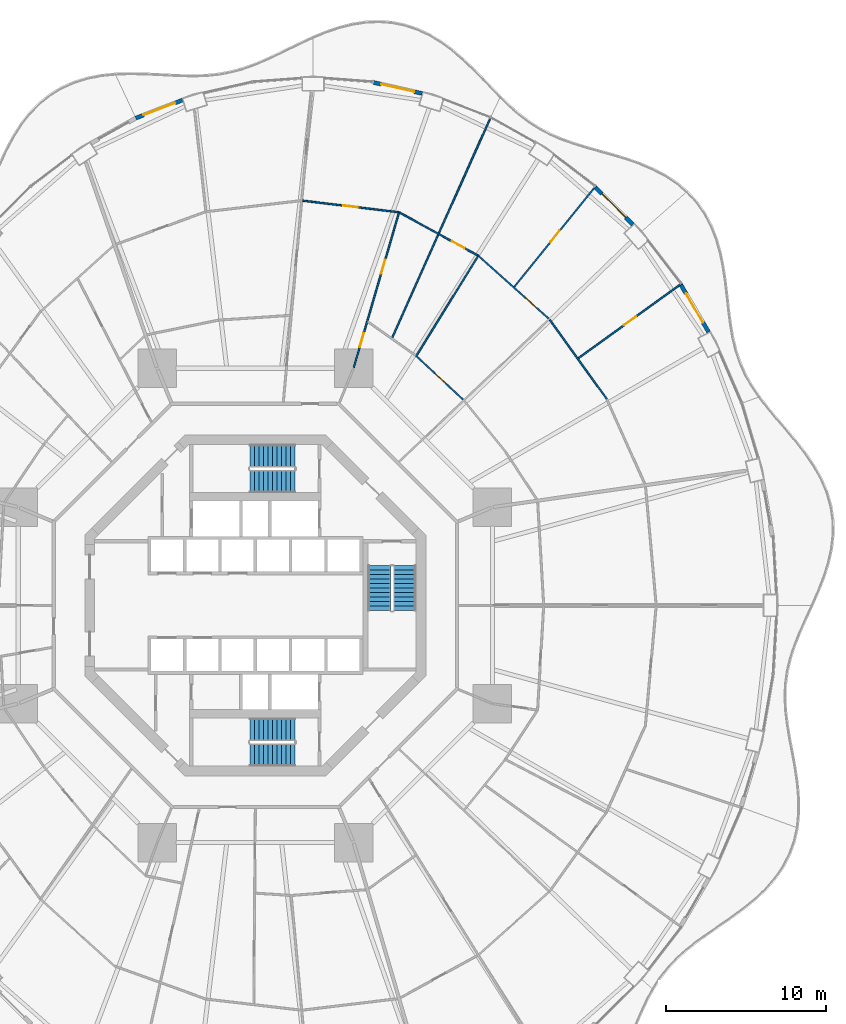
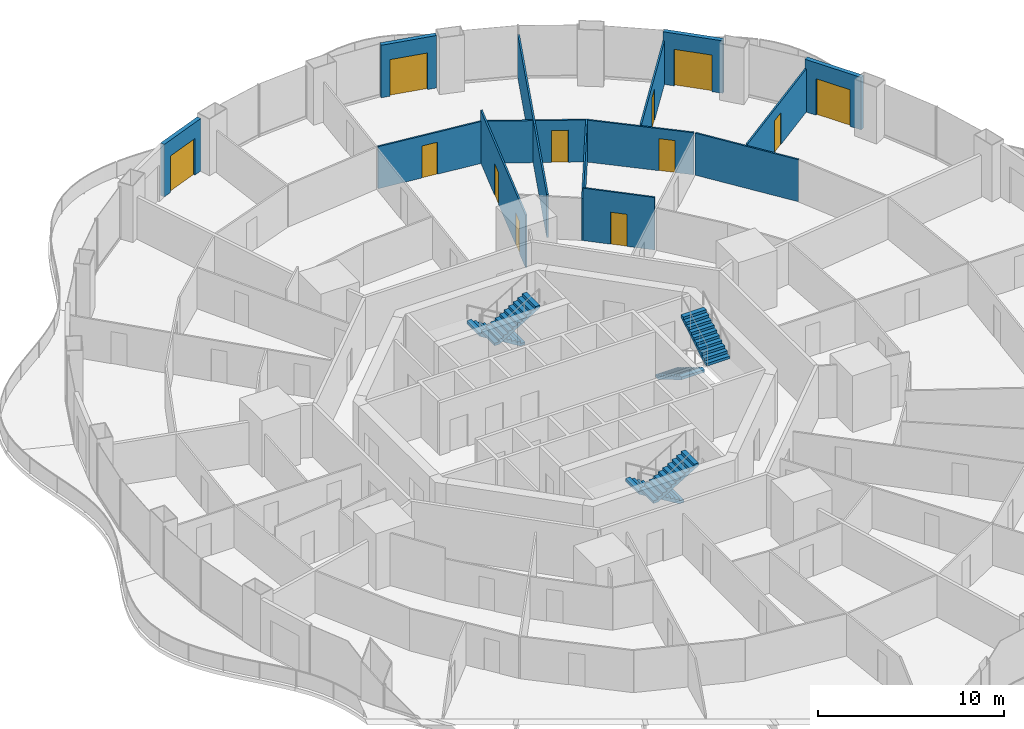
# One storey, part 19 of 22: 14 walls, 12 doors, 6 stair flights, 12 openings, 3 elements without a shape of their own.
"""IFC4 building model written with IfcOpenShell, lengths in metres."""

from ifc_helpers import new_model, si_unit, direction, frame, frame_2d, origin, place, context, subcontext, project, spatial, polyline, rectangle, outline, extrude, material, layer, layer_set, type_object, element, fill, aggregate, save


model = new_model("IFC4")

# Units and contexts
model_context = context("Model", 3, precision=1e-05, world=origin(), true_north=direction((0.0, 1.0)))
body_context = subcontext(model_context, "Body", "Model", "MODEL_VIEW")
ifc_project = project(units=[si_unit("LENGTHUNIT", "METRE"), si_unit("AREAUNIT", "SQUARE_METRE"), si_unit("VOLUMEUNIT", "CUBIC_METRE"), si_unit("PLANEANGLEUNIT", "RADIAN"), si_unit("MASSUNIT", "GRAM", prefix="KILO")], contexts=[model_context])

# Site, building, storey
site_placement = place(None, origin())
site = spatial("IfcSite", under=ifc_project, at=site_placement, CompositionType="ELEMENT")
building_placement = place(site_placement, origin())
building = spatial("IfcBuilding", under=site, at=building_placement, Name="Nagisa Residences", CompositionType="ELEMENT")
storey_placement = place(building_placement, frame((0.0, 0.0, 49.199951171875)))
storey = spatial("IfcBuildingStorey", under=building, at=storey_placement, Name="L11", CompositionType="ELEMENT", Elevation=49.199951171875)

# Wall
ifc_material_1 = material(Name="Gypsum board on steel studs", Category="steel")
ifc_layer_1 = layer(ifc_material_1, 0.10009765625)
ifc_layer_set_1 = layer_set([ifc_layer_1], Name="Apartment partition 100")
wall_type_1 = type_object("IfcWallType", Name="Apartment partition 100", PredefinedType="PARTITIONING", material=ifc_layer_set_1)
wall_1_placement = place(storey_placement, frame((21.90771484375, 12.866455078125, 0.0), z_axis=(0.0, 0.0, 1.0), x_axis=(-0.584558392935, 0.811351640936, 0.0)))
element("IfcWall", 1, at=wall_1_placement, inside=storey, type_object=wall_type_1, Name="wall:L11:u26", PredefinedType="PARTITIONING", context=body_context, shape_type="SweptSolid", body=[
    extrude(rectangle(XDim=6.084228515625, YDim=0.10009765625, at=frame_2d((3.0419921875, 0.0))), origin(), (0.0, 0.0, 1.0), 2.756103515625),
])

# Wall, opening, door
wall_2_placement = place(storey_placement, frame((20.140625, 15.404541015625, 0.0), z_axis=(0.0, 0.0, 1.0), x_axis=(0.809834895779, 0.58665785734, 0.0)))
wall_2 = element("IfcWall", 2, at=wall_2_placement, inside=storey, type_object=wall_type_1, Name="wall:L11:u27", PredefinedType="PARTITIONING", context=body_context, shape_type="SweptSolid", body=[
    extrude(rectangle(XDim=7.9453125, YDim=0.10009765625, at=frame_2d((3.97265625, 0.0))), origin(), (0.0, 0.0, 1.0), 2.837158203125),
])
opening_1_placement = place(wall_2_placement, frame((3.5224609375, 0.0, 0.0)))
opening_1 = element("IfcOpeningElement", 3, at=opening_1_placement, cuts=wall_2, Name="Opening L11-U57", PredefinedType="OPENING", context=body_context, shape_type="SweptSolid", body=[
    extrude(rectangle(XDim=0.89990234375, YDim=2.10009765625, at=frame_2d((0.449951171875, 1.050048828125))), frame((0.0, 0.06005859375, 0.0), z_axis=(0.0, -1.0, 0.0), x_axis=(1.0, 0.0, 0.0)), (0.0, 0.0, 1.0), 0.1201171875),
])
ifc_material_2 = material(Name="Timber door set", Category="wood")
door_type_1 = type_object("IfcDoorType", Name="Apartment door 900x2100", OperationType="NOTDEFINED", PredefinedType="DOOR", material=ifc_material_2)
door_1_placement = place(opening_1_placement, frame((0.89990234375, 0.0, 0.0), x_axis=(-1.0, 0.0, 0.0)))
door_1 = element("IfcDoor", 4, at=door_1_placement, inside=storey, type_object=door_type_1, Name="Door to family room, Apartment 11E", OperationType="SINGLE_SWING_RIGHT", OverallHeight=2.10009765625, OverallWidth=0.89990234375, PredefinedType="DOOR", context=body_context, shape_type="SweptSolid", body=[
    extrude(rectangle(XDim=0.89990234375, YDim=2.10009765625, at=frame_2d((0.449951171875, 1.050048828125))), frame((0.0, 0.02490234375, 0.0), z_axis=(0.0, -1.0, 0.0), x_axis=(1.0, 0.0, 0.0)), (0.0, 0.0, 1.0), 0.050048828125),
])
fill(opening_1, door_1)

wall_3_placement = place(storey_placement, frame((12.957763671875, 12.820068359375, 0.0), z_axis=(0.0, 0.0, 1.0), x_axis=(-0.732022571638, 0.681280378855, 0.0)))
wall_3 = element("IfcWall", 5, at=wall_3_placement, inside=storey, type_object=wall_type_1, Name="wall:L11:u29", PredefinedType="PARTITIONING", context=body_context, shape_type="SweptSolid", body=[
    extrude(rectangle(XDim=3.9501953125, YDim=0.10009765625, at=frame_2d((1.97509765625, 0.0))), origin(), (0.0, 0.0, 1.0), 3.43994140625),
])
opening_2_placement = place(wall_3_placement, frame((1.525146484375, 0.0, 0.0)))
opening_2 = element("IfcOpeningElement", 6, at=opening_2_placement, cuts=wall_3, Name="Opening L11-U46", PredefinedType="OPENING", context=body_context, shape_type="SweptSolid", body=[
    extrude(rectangle(XDim=0.89990234375, YDim=2.10009765625, at=frame_2d((0.449951171875, 1.050048828125))), frame((0.0, 0.06005859375, 0.0), z_axis=(0.0, -1.0, 0.0), x_axis=(1.0, 0.0, 0.0)), (0.0, 0.0, 1.0), 0.1201171875),
])
door_2_placement = place(opening_2_placement, frame((0.89990234375, 0.0, 0.0), x_axis=(-1.0, 0.0, 0.0)))
door_2 = element("IfcDoor", 7, at=door_2_placement, inside=storey, type_object=door_type_1, Name="Door to kitchen, Apartment 11E", OperationType="SINGLE_SWING_LEFT", OverallHeight=2.10009765625, OverallWidth=0.89990234375, PredefinedType="DOOR", context=body_context, shape_type="SweptSolid", body=[
    extrude(rectangle(XDim=0.89990234375, YDim=2.10009765625, at=frame_2d((0.449951171875, 1.050048828125))), frame((0.0, 0.02490234375, 0.0), z_axis=(0.0, -1.0, 0.0), x_axis=(1.0, 0.0, 0.0)), (0.0, 0.0, 1.0), 0.050048828125),
])
fill(opening_2, door_2)

wall_4_placement = place(storey_placement, frame((18.28466796875, 17.876953125, 0.0), z_axis=(0.0, 0.0, 1.0), x_axis=(-0.745806142791, 0.666163041136, 0.0)))
wall_4 = element("IfcWall", 8, at=wall_4_placement, inside=storey, type_object=wall_type_1, Name="wall:L11:u30", PredefinedType="PARTITIONING", context=body_context, shape_type="SweptSolid", body=[
    extrude(rectangle(XDim=5.83056640625, YDim=0.10009765625, at=frame_2d((2.915283203125, 0.0))), origin(), (0.0, 0.0, 1.0), 2.756103515625),
])
opening_3_placement = place(wall_4_placement, frame((1.007568359375, 0.0, 0.0)))
opening_3 = element("IfcOpeningElement", 9, at=opening_3_placement, cuts=wall_4, Name="Opening L11-U49", PredefinedType="OPENING", context=body_context, shape_type="SweptSolid", body=[
    extrude(rectangle(XDim=0.89990234375, YDim=2.10009765625, at=frame_2d((0.449951171875, 1.050048828125))), frame((0.0, 0.06005859375, 0.0), z_axis=(0.0, -1.0, 0.0), x_axis=(1.0, 0.0, 0.0)), (0.0, 0.0, 1.0), 0.1201171875),
])
door_3_placement = place(opening_3_placement, frame((0.89990234375, 0.0, 0.0), x_axis=(-1.0, 0.0, 0.0)))
door_3 = element("IfcDoor", 10, at=door_3_placement, inside=storey, type_object=door_type_1, Name="Door to dining room, Apartment 11E", OperationType="SINGLE_SWING_RIGHT", OverallHeight=2.10009765625, OverallWidth=0.89990234375, PredefinedType="DOOR", context=body_context, shape_type="SweptSolid", body=[
    extrude(rectangle(XDim=0.89990234375, YDim=2.10009765625, at=frame_2d((0.449951171875, 1.050048828125))), frame((0.0, 0.02490234375, 0.0), z_axis=(0.0, -1.0, 0.0), x_axis=(1.0, 0.0, 0.0)), (0.0, 0.0, 1.0), 0.050048828125),
])
fill(opening_3, door_3)

wall_5_placement = place(storey_placement, frame((16.141845703125, 19.85791015625, 0.0), z_axis=(0.0, 0.0, 1.0), x_axis=(0.628738066508, 0.777617157555, 0.0)))
wall_5 = element("IfcWall", 11, at=wall_5_placement, inside=storey, type_object=wall_type_1, Name="wall:L11:u31", PredefinedType="PARTITIONING", context=body_context, shape_type="SweptSolid", body=[
    extrude(rectangle(XDim=8.091064453125, YDim=0.10009765625, at=frame_2d((4.04541015625, 0.0))), origin(), (0.0, 0.0, 1.0), 2.837158203125),
])
opening_4_placement = place(wall_5_placement, frame((3.595458984375, 0.0, 0.0)))
opening_4 = element("IfcOpeningElement", 12, at=opening_4_placement, cuts=wall_5, Name="Opening L11-U50", PredefinedType="OPENING", context=body_context, shape_type="SweptSolid", body=[
    extrude(rectangle(XDim=0.89990234375, YDim=2.10009765625, at=frame_2d((0.449951171875, 1.050048828125))), frame((0.0, 0.06005859375, 0.0), z_axis=(0.0, -1.0, 0.0), x_axis=(1.0, 0.0, 0.0)), (0.0, 0.0, 1.0), 0.1201171875),
])
door_4_placement = place(opening_4_placement, origin())
door_4 = element("IfcDoor", 13, at=door_4_placement, inside=storey, type_object=door_type_1, Name="Door to master bedroom, Apartment 11E", OperationType="SINGLE_SWING_RIGHT", OverallHeight=2.10009765625, OverallWidth=0.89990234375, PredefinedType="DOOR", context=body_context, shape_type="SweptSolid", body=[
    extrude(rectangle(XDim=0.89990234375, YDim=2.10009765625, at=frame_2d((0.449951171875, 1.050048828125))), frame((0.0, 0.02490234375, 0.0), z_axis=(0.0, -1.0, 0.0), x_axis=(1.0, 0.0, 0.0)), (0.0, 0.0, 1.0), 0.050048828125),
])
fill(opening_4, door_4)

# Wall
wall_6_placement = place(storey_placement, frame((10.003173828125, 15.502685546875, 0.0), z_axis=(0.0, 0.0, 1.0), x_axis=(0.52645953022, 0.850200189979, 0.0)))
element("IfcWall", 14, at=wall_6_placement, inside=storey, type_object=wall_type_1, Name="wall:L11:u32", PredefinedType="PARTITIONING", context=body_context, shape_type="SweptSolid", body=[
    extrude(rectangle(XDim=7.449951171875, YDim=0.10009765625, at=frame_2d((3.72509765625, 0.0))), origin(), (0.0, 0.0, 1.0), 2.756103515625),
])

# Wall, opening, door
wall_7_placement = place(storey_placement, frame((13.85498046875, 21.818359375, 0.0), z_axis=(0.0, 0.0, 1.0), x_axis=(-0.876794415294, 0.480865421203, 0.0)))
wall_7 = element("IfcWall", 15, at=wall_7_placement, inside=storey, type_object=wall_type_1, Name="wall:L11:u34", PredefinedType="PARTITIONING", context=body_context, shape_type="SweptSolid", body=[
    extrude(rectangle(XDim=5.5361328125, YDim=0.10009765625, at=frame_2d((2.76806640625, 0.0))), origin(), (0.0, 0.0, 1.0), 2.756103515625),
])
opening_5_placement = place(wall_7_placement, frame((0.93408203125, 0.0, 0.0)))
opening_5 = element("IfcOpeningElement", 16, at=opening_5_placement, cuts=wall_7, Name="Opening L11-U56", PredefinedType="OPENING", context=body_context, shape_type="SweptSolid", body=[
    extrude(rectangle(XDim=0.89990234375, YDim=2.10009765625, at=frame_2d((0.449951171875, 1.050048828125))), frame((0.0, 0.06005859375, 0.0), z_axis=(0.0, -1.0, 0.0), x_axis=(1.0, 0.0, 0.0)), (0.0, 0.0, 1.0), 0.1201171875),
])
door_5_placement = place(opening_5_placement, origin())
door_5 = element("IfcDoor", 17, at=door_5_placement, inside=storey, type_object=door_type_1, Name="Door to en-suite bathroom, Apartment 11E", OperationType="SINGLE_SWING_RIGHT", OverallHeight=2.10009765625, OverallWidth=0.89990234375, PredefinedType="DOOR", context=body_context, shape_type="SweptSolid", body=[
    extrude(rectangle(XDim=0.89990234375, YDim=2.10009765625, at=frame_2d((0.449951171875, 1.050048828125))), frame((0.0, 0.02490234375, 0.0), z_axis=(0.0, -1.0, 0.0), x_axis=(1.0, 0.0, 0.0)), (0.0, 0.0, 1.0), 0.050048828125),
])
fill(opening_5, door_5)

# Wall
wall_8_placement = place(storey_placement, frame((8.524169921875, 16.676025390625, 0.0), z_axis=(0.0, 0.0, 1.0), x_axis=(0.408065177262, 0.912952797852, 0.0)))
element("IfcWall", 18, at=wall_8_placement, inside=storey, type_object=wall_type_1, Name="wall:L11:u35", PredefinedType="PARTITIONING", context=body_context, shape_type="SweptSolid", body=[
    extrude(rectangle(XDim=15.0888671875, YDim=0.10009765625, at=frame_2d((7.54443359375, 0.0))), origin(), (0.0, 0.0, 1.0), 2.837158203125),
])

# Wall, openings, doors
wall_9_placement = place(storey_placement, frame((6.136962890625, 14.830078125, 0.0), z_axis=(0.0, 0.0, 1.0), x_axis=(0.279843546189, 0.960045618529, 0.0)))
wall_9 = element("IfcWall", 19, at=wall_9_placement, inside=storey, type_object=wall_type_1, Name="wall:L11:u37", PredefinedType="PARTITIONING", context=body_context, shape_type="SweptSolid", body=[
    extrude(rectangle(XDim=10.126953125, YDim=0.10009765625, at=frame_2d((5.0634765625, 0.0))), origin(), (0.0, 0.0, 1.0), 3.43994140625),
])
opening_6_placement = place(wall_9_placement, frame((1.333740234375, 0.0, 0.0)))
opening_6 = element("IfcOpeningElement", 20, at=opening_6_placement, cuts=wall_9, Name="Opening L11-U44", PredefinedType="OPENING", context=body_context, shape_type="SweptSolid", body=[
    extrude(rectangle(XDim=0.89990234375, YDim=2.10009765625, at=frame_2d((0.449951171875, 1.050048828125))), frame((0.0, 0.06005859375, 0.0), z_axis=(0.0, -1.0, 0.0), x_axis=(1.0, 0.0, 0.0)), (0.0, 0.0, 1.0), 0.1201171875),
])
opening_7_placement = place(wall_9_placement, frame((6.09130859375, 0.0, 0.0)))
opening_7 = element("IfcOpeningElement", 21, at=opening_7_placement, cuts=wall_9, Name="Opening L11-U47", PredefinedType="OPENING", context=body_context, shape_type="SweptSolid", body=[
    extrude(rectangle(XDim=0.89990234375, YDim=2.10009765625, at=frame_2d((0.449951171875, 1.050048828125))), frame((0.0, 0.06005859375, 0.0), z_axis=(0.0, -1.0, 0.0), x_axis=(1.0, 0.0, 0.0)), (0.0, 0.0, 1.0), 0.1201171875),
])
door_6_placement = place(opening_6_placement, frame((0.89990234375, 0.0, 0.0), x_axis=(-1.0, 0.0, 0.0)))
door_6 = element("IfcDoor", 22, at=door_6_placement, inside=storey, type_object=door_type_1, Name="Door to store, Apartment 11E", OperationType="SINGLE_SWING_LEFT", OverallHeight=2.10009765625, OverallWidth=0.89990234375, PredefinedType="DOOR", context=body_context, shape_type="SweptSolid", body=[
    extrude(rectangle(XDim=0.89990234375, YDim=2.10009765625, at=frame_2d((0.449951171875, 1.050048828125))), frame((0.0, 0.02490234375, 0.0), z_axis=(0.0, -1.0, 0.0), x_axis=(1.0, 0.0, 0.0)), (0.0, 0.0, 1.0), 0.050048828125),
])
fill(opening_6, door_6)
door_7_placement = place(opening_7_placement, frame((0.89990234375, 0.0, 0.0), x_axis=(-1.0, 0.0, 0.0)))
door_7 = element("IfcDoor", 23, at=door_7_placement, inside=storey, type_object=door_type_1, Name="Door to family bathroom, Apartment 11E", OperationType="SINGLE_SWING_RIGHT", OverallHeight=2.10009765625, OverallWidth=0.89990234375, PredefinedType="DOOR", context=body_context, shape_type="SweptSolid", body=[
    extrude(rectangle(XDim=0.89990234375, YDim=2.10009765625, at=frame_2d((0.449951171875, 1.050048828125))), frame((0.0, 0.02490234375, 0.0), z_axis=(0.0, -1.0, 0.0), x_axis=(1.0, 0.0, 0.0)), (0.0, 0.0, 1.0), 0.050048828125),
])
fill(opening_7, door_7)

# Wall, opening, door
wall_10_placement = place(storey_placement, frame((8.907470703125, 24.510498046875, 0.0), z_axis=(0.0, 0.0, 1.0), x_axis=(-0.992836798252, 0.119478416615, 0.0)))
wall_10 = element("IfcWall", 24, at=wall_10_placement, inside=storey, type_object=wall_type_1, Name="wall:L11:u38", PredefinedType="PARTITIONING", context=body_context, shape_type="SweptSolid", body=[
    extrude(rectangle(XDim=6.009521484375, YDim=0.10009765625, at=frame_2d((3.0048828125, 0.0))), origin(), (0.0, 0.0, 1.0), 2.756103515625),
])
opening_8_placement = place(wall_10_placement, frame((2.5546875, 0.0, 0.0)))
opening_8 = element("IfcOpeningElement", 25, at=opening_8_placement, cuts=wall_10, Name="Opening L11-U51", PredefinedType="OPENING", context=body_context, shape_type="SweptSolid", body=[
    extrude(rectangle(XDim=0.89990234375, YDim=2.10009765625, at=frame_2d((0.449951171875, 1.050048828125))), frame((0.0, 0.06005859375, 0.0), z_axis=(0.0, -1.0, 0.0), x_axis=(1.0, 0.0, 0.0)), (0.0, 0.0, 1.0), 0.1201171875),
])
door_8_placement = place(opening_8_placement, frame((0.89990234375, 0.0, 0.0), x_axis=(-1.0, 0.0, 0.0)))
door_8 = element("IfcDoor", 26, at=door_8_placement, inside=storey, type_object=door_type_1, Name="Door to living room, Apartment 11E", OperationType="SINGLE_SWING_RIGHT", OverallHeight=2.10009765625, OverallWidth=0.89990234375, PredefinedType="DOOR", context=body_context, shape_type="SweptSolid", body=[
    extrude(rectangle(XDim=0.89990234375, YDim=2.10009765625, at=frame_2d((0.449951171875, 1.050048828125))), frame((0.0, 0.02490234375, 0.0), z_axis=(0.0, -1.0, 0.0), x_axis=(1.0, 0.0, 0.0)), (0.0, 0.0, 1.0), 0.050048828125),
])
fill(opening_8, door_8)

ifc_material_3 = material(Name="Precast concrete C40/50", Category="concrete")
ifc_layer_2 = layer(ifc_material_3, 0.25)
ifc_layer_set_2 = layer_set([ifc_layer_2], Name="BALCONY DOOR WALL 250")
wall_type_2 = type_object("IfcWallType", Name="BALCONY DOOR WALL 250", PredefinedType="SOLIDWALL", material=ifc_layer_set_2)
wall_11_placement = place(storey_placement, frame((26.49951171875, 20.02587890625, 0.0), z_axis=(0.0, 0.0, 1.0), x_axis=(0.506311160839, -0.862350861546, 0.0)))
wall_11 = element("IfcWall", 27, at=wall_11_placement, inside=storey, type_object=wall_type_2, Name="wall:L11:bay04", PredefinedType="SOLIDWALL", context=body_context, shape_type="SweptSolid", body=[
    extrude(rectangle(XDim=3.462158203125, YDim=0.25, at=frame_2d((1.73095703125, 0.0))), origin(), (0.0, 0.0, 1.0), 3.43994140625),
])
opening_9_placement = place(wall_11_placement, frame((0.68115234375, 0.0, 0.0)))
opening_9 = element("IfcOpeningElement", 28, at=opening_9_placement, cuts=wall_11, Name="Opening BD-L11-02", PredefinedType="OPENING", context=body_context, shape_type="SweptSolid", body=[
    extrude(rectangle(XDim=2.10009765625, YDim=2.39990234375, at=frame_2d((1.050048828125, 1.199951171875))), frame((0.0, 0.135009765625, 0.0), z_axis=(0.0, -1.0, 0.0), x_axis=(1.0, 0.0, 0.0)), (0.0, 0.0, 1.0), 0.27001953125),
])
ifc_material_4 = material(Name="Aluminium and clear glass", Category="aluminium")
door_type_2 = type_object("IfcDoorType", Name="BALCONY SLIDING DOOR 2100x2400", OperationType="SLIDING_TO_LEFT", PredefinedType="DOOR", material=ifc_material_4)
door_9_placement = place(opening_9_placement, origin())
door_9 = element("IfcDoor", 29, at=door_9_placement, inside=storey, type_object=door_type_2, Name="door:L11:bay04", OperationType="SLIDING_TO_LEFT", OverallHeight=2.39990234375, OverallWidth=2.10009765625, PredefinedType="DOOR", context=body_context, shape_type="SweptSolid", body=[
    extrude(rectangle(XDim=2.10009765625, YDim=2.39990234375, at=frame_2d((1.050048828125, 1.199951171875))), frame((0.0, 0.02490234375, 0.0), z_axis=(0.0, -1.0, 0.0), x_axis=(1.0, 0.0, 0.0)), (0.0, 0.0, 1.0), 0.050048828125),
])
fill(opening_9, door_9)

wall_12_placement = place(storey_placement, frame((21.165771484375, 26.09228515625, 0.0), z_axis=(0.0, 0.0, 1.0), x_axis=(0.707803094595, -0.706409781417, 0.0)))
wall_12 = element("IfcWall", 30, at=wall_12_placement, inside=storey, type_object=wall_type_2, Name="wall:L11:bay06", PredefinedType="SOLIDWALL", context=body_context, shape_type="SweptSolid", body=[
    extrude(rectangle(XDim=3.329345703125, YDim=0.25, at=frame_2d((1.66455078125, 0.0))), origin(), (0.0, 0.0, 1.0), 3.43994140625),
])
opening_10_placement = place(wall_12_placement, frame((0.614501953125, 0.0, 0.0)))
opening_10 = element("IfcOpeningElement", 31, at=opening_10_placement, cuts=wall_12, Name="Opening BD-L11-03", PredefinedType="OPENING", context=body_context, shape_type="SweptSolid", body=[
    extrude(rectangle(XDim=2.10009765625, YDim=2.39990234375, at=frame_2d((1.050048828125, 1.199951171875))), frame((0.0, 0.135009765625, 0.0), z_axis=(0.0, -1.0, 0.0), x_axis=(1.0, 0.0, 0.0)), (0.0, 0.0, 1.0), 0.27001953125),
])
door_10_placement = place(opening_10_placement, origin())
door_10 = element("IfcDoor", 32, at=door_10_placement, inside=storey, type_object=door_type_2, Name="door:L11:bay06", OperationType="SLIDING_TO_LEFT", OverallHeight=2.39990234375, OverallWidth=2.10009765625, PredefinedType="DOOR", context=body_context, shape_type="SweptSolid", body=[
    extrude(rectangle(XDim=2.10009765625, YDim=2.39990234375, at=frame_2d((1.050048828125, 1.199951171875))), frame((0.0, 0.02490234375, 0.0), z_axis=(0.0, -1.0, 0.0), x_axis=(1.0, 0.0, 0.0)), (0.0, 0.0, 1.0), 0.050048828125),
])
fill(opening_10, door_10)

wall_13_placement = place(storey_placement, frame((7.357666015625, 32.595703125, 0.0), z_axis=(0.0, 0.0, 1.0), x_axis=(0.97533495413, -0.220729987208, 0.0)))
wall_13 = element("IfcWall", 33, at=wall_13_placement, inside=storey, type_object=wall_type_2, Name="wall:L11:bay10", PredefinedType="SOLIDWALL", context=body_context, shape_type="SweptSolid", body=[
    extrude(rectangle(XDim=3.11474609375, YDim=0.25, at=frame_2d((1.557373046875, 0.0))), origin(), (0.0, 0.0, 1.0), 3.43994140625),
])
opening_11_placement = place(wall_13_placement, frame((0.50732421875, 0.0, 0.0)))
opening_11 = element("IfcOpeningElement", 34, at=opening_11_placement, cuts=wall_13, Name="Opening BD-L11-04", PredefinedType="OPENING", context=body_context, shape_type="SweptSolid", body=[
    extrude(rectangle(XDim=2.10009765625, YDim=2.39990234375, at=frame_2d((1.050048828125, 1.199951171875))), frame((0.0, 0.135009765625, 0.0), z_axis=(0.0, -1.0, 0.0), x_axis=(1.0, 0.0, 0.0)), (0.0, 0.0, 1.0), 0.27001953125),
])
door_11_placement = place(opening_11_placement, origin())
door_11 = element("IfcDoor", 35, at=door_11_placement, inside=storey, type_object=door_type_2, Name="door:L11:bay10", OperationType="SLIDING_TO_LEFT", OverallHeight=2.39990234375, OverallWidth=2.10009765625, PredefinedType="DOOR", context=body_context, shape_type="SweptSolid", body=[
    extrude(rectangle(XDim=2.10009765625, YDim=2.39990234375, at=frame_2d((1.050048828125, 1.199951171875))), frame((0.0, 0.02490234375, 0.0), z_axis=(0.0, -1.0, 0.0), x_axis=(1.0, 0.0, 0.0)), (0.0, 0.0, 1.0), 0.050048828125),
])
fill(opening_11, door_11)

wall_14_placement = place(storey_placement, frame((-7.452880859375, 30.371337890625, 0.0), z_axis=(0.0, 0.0, 1.0), x_axis=(0.932809381943, 0.360370166577, 0.0)))
wall_14 = element("IfcWall", 36, at=wall_14_placement, inside=storey, type_object=wall_type_2, Name="wall:L11:bay14", PredefinedType="SOLIDWALL", context=body_context, shape_type="SweptSolid", body=[
    extrude(rectangle(XDim=3.15087890625, YDim=0.25, at=frame_2d((1.575439453125, 0.0))), origin(), (0.0, 0.0, 1.0), 3.43994140625),
])
opening_12_placement = place(wall_14_placement, frame((0.525390625, 0.0, 0.0)))
opening_12 = element("IfcOpeningElement", 37, at=opening_12_placement, cuts=wall_14, Name="Opening BD-L11-05", PredefinedType="OPENING", context=body_context, shape_type="SweptSolid", body=[
    extrude(rectangle(XDim=2.10009765625, YDim=2.39990234375, at=frame_2d((1.050048828125, 1.199951171875))), frame((0.0, 0.135009765625, 0.0), z_axis=(0.0, -1.0, 0.0), x_axis=(1.0, 0.0, 0.0)), (0.0, 0.0, 1.0), 0.27001953125),
])
door_12_placement = place(opening_12_placement, origin())
door_12 = element("IfcDoor", 38, at=door_12_placement, inside=storey, type_object=door_type_2, Name="door:L11:bay14", OperationType="SLIDING_TO_LEFT", OverallHeight=2.39990234375, OverallWidth=2.10009765625, PredefinedType="DOOR", context=body_context, shape_type="SweptSolid", body=[
    extrude(rectangle(XDim=2.10009765625, YDim=2.39990234375, at=frame_2d((1.050048828125, 1.199951171875))), frame((0.0, 0.02490234375, 0.0), z_axis=(0.0, -1.0, 0.0), x_axis=(1.0, 0.0, 0.0)), (0.0, 0.0, 1.0), 0.050048828125),
])
fill(opening_12, door_12)

# Stair, stair flights
ifc_material_5 = material(Name="Concrete C60", Category="concrete")
stair_type = type_object("IfcStairType", Name="Exit stair", PredefinedType="HALF_TURN_STAIR", material=ifc_material_5)
stair_1_placement = place(storey_placement, origin())
stair_1 = element("IfcStair", 39, at=stair_1_placement, inside=storey, type_object=stair_type, Name="L11 Exit stair E", PredefinedType="HALF_TURN_STAIR")
ifc_material_6 = material(Name="Concrete C60", Category="concrete")
stair_flight_type = type_object("IfcStairFlightType", Name="Exit stair flight", PredefinedType="STRAIGHT", material=ifc_material_6)
stair_flight_1_placement = place(storey_placement, frame((7.737060546875, 2.47509765625, 0.0), z_axis=(0.0, 0.0, 1.0), x_axis=(0.0, -1.0, 0.0)))
stair_flight_1 = element("IfcStairFlight", 40, at=stair_flight_1_placement, type_object=stair_flight_type, Name="ST-E flight 1", NumberOfRisers=11, NumberOfTreads=10, PredefinedType="STRAIGHT", RiserHeight=0.168181818, TreadLength=0.28, context=body_context, shape_type="SweptSolid", body=[
    extrude(outline(polyline([(0.0, 0.0), (0.0, 0.168212890625), (0.280029296875, 0.168212890625), (0.280029296875, 0.33642578125), (0.56005859375, 0.33642578125), (0.56005859375, 0.504638671875), (0.840087890625, 0.504638671875), (0.840087890625, 0.672607421875), (1.1201171875, 0.672607421875), (1.1201171875, 0.8408203125), (1.39990234375, 0.8408203125), (1.39990234375, 1.009033203125), (1.679931640625, 1.009033203125), (1.679931640625, 1.17724609375), (1.9599609375, 1.17724609375), (1.9599609375, 1.345458984375), (2.239990234375, 1.345458984375), (2.239990234375, 1.513671875), (2.52001953125, 1.513671875), (2.52001953125, 1.681884765625), (2.800048828125, 1.681884765625), (2.800048828125, 1.85009765625), (2.800048828125, 1.5068359375), (0.291015625, 0.0), (0.0, 0.0)])), frame((0.0, 0.71240234375, 0.0), z_axis=(0.0, -1.0, 0.0), x_axis=(1.0, 0.0, 0.0)), (0.0, 0.0, 1.0), 1.425048828125),
])
stair_flight_2_placement = place(storey_placement, frame((9.31201171875, -0.324951171875, 1.85009765625), z_axis=(0.0, 0.0, 1.0), x_axis=(0.0, 1.0, 0.0)))
stair_flight_2 = element("IfcStairFlight", 41, at=stair_flight_2_placement, type_object=stair_flight_type, Name="ST-E flight 2", NumberOfRisers=11, NumberOfTreads=10, PredefinedType="STRAIGHT", RiserHeight=0.168181818, TreadLength=0.28, context=body_context, shape_type="SweptSolid", body=[
    extrude(outline(polyline([(0.0, 0.0), (0.0, 0.168212890625), (0.280029296875, 0.168212890625), (0.280029296875, 0.33642578125), (0.56005859375, 0.33642578125), (0.56005859375, 0.504638671875), (0.840087890625, 0.504638671875), (0.840087890625, 0.672607421875), (1.1201171875, 0.672607421875), (1.1201171875, 0.8408203125), (1.39990234375, 0.8408203125), (1.39990234375, 1.009033203125), (1.679931640625, 1.009033203125), (1.679931640625, 1.17724609375), (1.9599609375, 1.17724609375), (1.9599609375, 1.345458984375), (2.239990234375, 1.345458984375), (2.239990234375, 1.513671875), (2.52001953125, 1.513671875), (2.52001953125, 1.681884765625), (2.800048828125, 1.681884765625), (2.800048828125, 1.85009765625), (2.800048828125, 1.5068359375), (0.291015625, 0.0), (0.0, 0.0)])), frame((0.0, 0.71240234375, 0.0), z_axis=(0.0, -1.0, 0.0), x_axis=(1.0, 0.0, 0.0)), (0.0, 0.0, 1.0), 1.425048828125),
])
aggregate(stair_1, [stair_flight_1, stair_flight_2])

stair_2_placement = place(storey_placement, origin())
stair_2 = element("IfcStair", 42, at=stair_2_placement, inside=storey, type_object=stair_type, Name="L11 Exit stair N", PredefinedType="HALF_TURN_STAIR")
stair_flight_3_placement = place(storey_placement, frame((2.47509765625, 9.31201171875, 0.0), z_axis=(0.0, 0.0, 1.0), x_axis=(-1.0, 0.0, 0.0)))
stair_flight_3 = element("IfcStairFlight", 43, at=stair_flight_3_placement, type_object=stair_flight_type, Name="ST-N flight 1", NumberOfRisers=11, NumberOfTreads=10, PredefinedType="STRAIGHT", RiserHeight=0.168181818, TreadLength=0.28, context=body_context, shape_type="SweptSolid", body=[
    extrude(outline(polyline([(0.0, 0.0), (0.0, 0.168212890625), (0.280029296875, 0.168212890625), (0.280029296875, 0.33642578125), (0.56005859375, 0.33642578125), (0.56005859375, 0.504638671875), (0.840087890625, 0.504638671875), (0.840087890625, 0.672607421875), (1.1201171875, 0.672607421875), (1.1201171875, 0.8408203125), (1.39990234375, 0.8408203125), (1.39990234375, 1.009033203125), (1.679931640625, 1.009033203125), (1.679931640625, 1.17724609375), (1.9599609375, 1.17724609375), (1.9599609375, 1.345458984375), (2.239990234375, 1.345458984375), (2.239990234375, 1.513671875), (2.52001953125, 1.513671875), (2.52001953125, 1.681884765625), (2.800048828125, 1.681884765625), (2.800048828125, 1.85009765625), (2.800048828125, 1.5068359375), (0.291015625, 0.0), (0.0, 0.0)])), frame((0.0, 0.71240234375, 0.0), z_axis=(0.0, -1.0, 0.0), x_axis=(1.0, 0.0, 0.0)), (0.0, 0.0, 1.0), 1.425048828125),
])
stair_flight_4_placement = place(storey_placement, frame((-0.324951171875, 7.737060546875, 1.85009765625), z_axis=(0.0, 0.0, 1.0), x_axis=(1.0, 0.0, 0.0)))
stair_flight_4 = element("IfcStairFlight", 44, at=stair_flight_4_placement, type_object=stair_flight_type, Name="ST-N flight 2", NumberOfRisers=11, NumberOfTreads=10, PredefinedType="STRAIGHT", RiserHeight=0.168181818, TreadLength=0.28, context=body_context, shape_type="SweptSolid", body=[
    extrude(outline(polyline([(0.0, 0.0), (0.0, 0.168212890625), (0.280029296875, 0.168212890625), (0.280029296875, 0.33642578125), (0.56005859375, 0.33642578125), (0.56005859375, 0.504638671875), (0.840087890625, 0.504638671875), (0.840087890625, 0.672607421875), (1.1201171875, 0.672607421875), (1.1201171875, 0.8408203125), (1.39990234375, 0.8408203125), (1.39990234375, 1.009033203125), (1.679931640625, 1.009033203125), (1.679931640625, 1.17724609375), (1.9599609375, 1.17724609375), (1.9599609375, 1.345458984375), (2.239990234375, 1.345458984375), (2.239990234375, 1.513671875), (2.52001953125, 1.513671875), (2.52001953125, 1.681884765625), (2.800048828125, 1.681884765625), (2.800048828125, 1.85009765625), (2.800048828125, 1.5068359375), (0.291015625, 0.0), (0.0, 0.0)])), frame((0.0, 0.71240234375, 0.0), z_axis=(0.0, -1.0, 0.0), x_axis=(1.0, 0.0, 0.0)), (0.0, 0.0, 1.0), 1.425048828125),
])
aggregate(stair_2, [stair_flight_3, stair_flight_4])

stair_3_placement = place(storey_placement, origin())
stair_3 = element("IfcStair", 45, at=stair_3_placement, inside=storey, type_object=stair_type, Name="L11 Exit stair S", PredefinedType="HALF_TURN_STAIR")
stair_flight_5_placement = place(storey_placement, frame((2.47509765625, -7.737060546875, 0.0), z_axis=(0.0, 0.0, 1.0), x_axis=(-1.0, 0.0, 0.0)))
stair_flight_5 = element("IfcStairFlight", 46, at=stair_flight_5_placement, type_object=stair_flight_type, Name="ST-S flight 1", NumberOfRisers=11, NumberOfTreads=10, PredefinedType="STRAIGHT", RiserHeight=0.168181818, TreadLength=0.28, context=body_context, shape_type="SweptSolid", body=[
    extrude(outline(polyline([(0.0, 0.0), (0.0, 0.168212890625), (0.280029296875, 0.168212890625), (0.280029296875, 0.33642578125), (0.56005859375, 0.33642578125), (0.56005859375, 0.504638671875), (0.840087890625, 0.504638671875), (0.840087890625, 0.672607421875), (1.1201171875, 0.672607421875), (1.1201171875, 0.8408203125), (1.39990234375, 0.8408203125), (1.39990234375, 1.009033203125), (1.679931640625, 1.009033203125), (1.679931640625, 1.17724609375), (1.9599609375, 1.17724609375), (1.9599609375, 1.345458984375), (2.239990234375, 1.345458984375), (2.239990234375, 1.513671875), (2.52001953125, 1.513671875), (2.52001953125, 1.681884765625), (2.800048828125, 1.681884765625), (2.800048828125, 1.85009765625), (2.800048828125, 1.5068359375), (0.291015625, 0.0), (0.0, 0.0)])), frame((0.0, 0.71240234375, 0.0), z_axis=(0.0, -1.0, 0.0), x_axis=(1.0, 0.0, 0.0)), (0.0, 0.0, 1.0), 1.425048828125),
])
stair_flight_6_placement = place(storey_placement, frame((-0.324951171875, -9.31201171875, 1.85009765625), z_axis=(0.0, 0.0, 1.0), x_axis=(1.0, 0.0, 0.0)))
stair_flight_6 = element("IfcStairFlight", 47, at=stair_flight_6_placement, type_object=stair_flight_type, Name="ST-S flight 2", NumberOfRisers=11, NumberOfTreads=10, PredefinedType="STRAIGHT", RiserHeight=0.168181818, TreadLength=0.28, context=body_context, shape_type="SweptSolid", body=[
    extrude(outline(polyline([(0.0, 0.0), (0.0, 0.168212890625), (0.280029296875, 0.168212890625), (0.280029296875, 0.33642578125), (0.56005859375, 0.33642578125), (0.56005859375, 0.504638671875), (0.840087890625, 0.504638671875), (0.840087890625, 0.672607421875), (1.1201171875, 0.672607421875), (1.1201171875, 0.8408203125), (1.39990234375, 0.8408203125), (1.39990234375, 1.009033203125), (1.679931640625, 1.009033203125), (1.679931640625, 1.17724609375), (1.9599609375, 1.17724609375), (1.9599609375, 1.345458984375), (2.239990234375, 1.345458984375), (2.239990234375, 1.513671875), (2.52001953125, 1.513671875), (2.52001953125, 1.681884765625), (2.800048828125, 1.681884765625), (2.800048828125, 1.85009765625), (2.800048828125, 1.5068359375), (0.291015625, 0.0), (0.0, 0.0)])), frame((0.0, 0.71240234375, 0.0), z_axis=(0.0, -1.0, 0.0), x_axis=(1.0, 0.0, 0.0)), (0.0, 0.0, 1.0), 1.425048828125),
])
aggregate(stair_3, [stair_flight_5, stair_flight_6])

save(model, "model.ifc")
